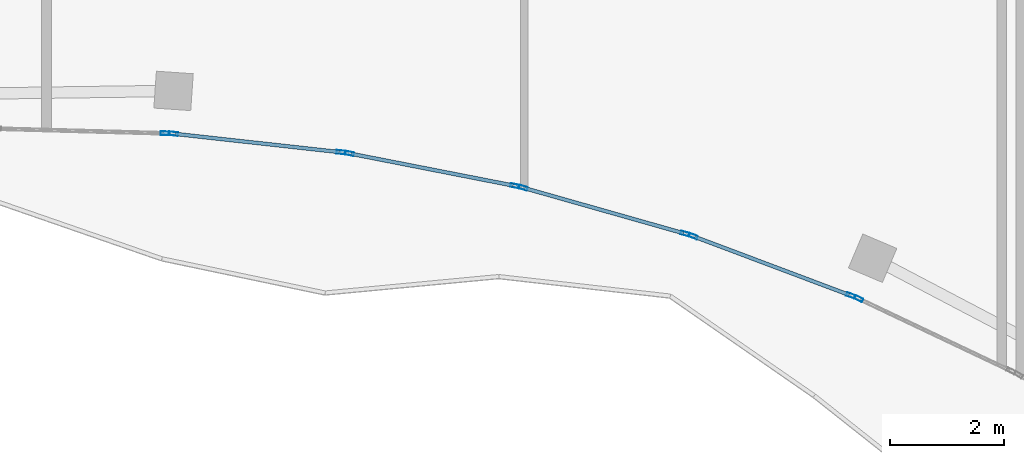
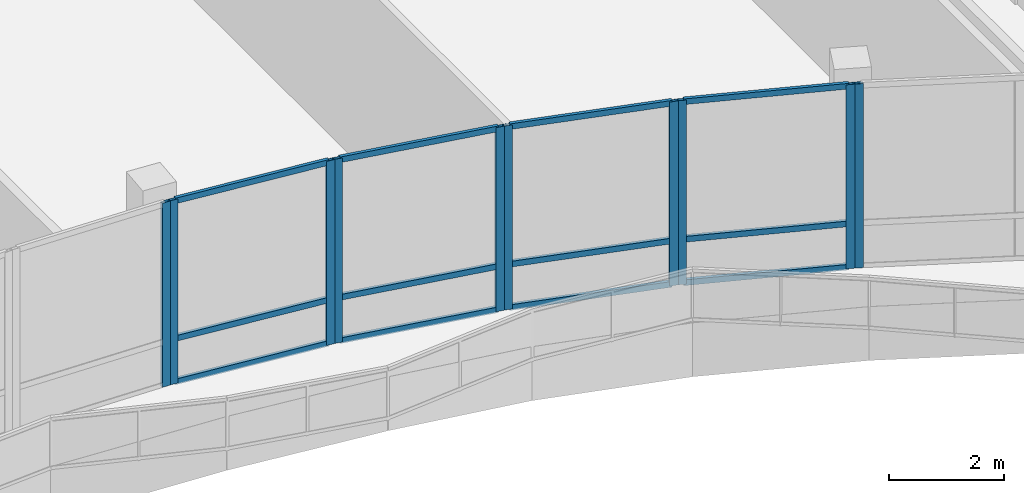
# One storey, part 122 of 184: 22 members, 6 elements without a shape of their own.
"""IFC4 building model written with IfcOpenShell, lengths in metres."""

from ifc_helpers import new_model, si_unit, direction, frame, origin, origin_2d, place, context, subcontext, project, spatial, hollow_rectangle, extrude, material, material_profile, profile_set, type_object, element, aggregate, save


model = new_model("IFC4")

# Units and contexts
model_context = context("Model", 3, precision=1e-05, world=origin(), true_north=direction((0.0, 1.0)))
body_context = subcontext(model_context, "Body", "Model", "MODEL_VIEW")
ifc_project = project(units=[si_unit("LENGTHUNIT", "METRE"), si_unit("AREAUNIT", "SQUARE_METRE"), si_unit("VOLUMEUNIT", "CUBIC_METRE"), si_unit("PLANEANGLEUNIT", "RADIAN"), si_unit("MASSUNIT", "GRAM", prefix="KILO")], contexts=[model_context])

# Site, building, storey
site_placement = place(None, origin())
site = spatial("IfcSite", under=ifc_project, at=site_placement, CompositionType="ELEMENT")
building_placement = place(site_placement, origin())
building = spatial("IfcBuilding", under=site, at=building_placement, Name="Selatvlak General Hospital", CompositionType="ELEMENT")
storey_placement = place(building_placement, frame((0.0, 0.0, 15.0)))
storey = spatial("IfcBuildingStorey", under=building, at=storey_placement, Name="L03", CompositionType="ELEMENT", Elevation=15.0)

# Curtain wall, member
ifc_material_1 = material(Name="Solar-control Low-E double glazing", Category="glass")
curtain_wall_type_1 = type_object("IfcCurtainWallType", Name="CW-CW-01", PredefinedType="USERDEFINED", material=ifc_material_1)
curtain_wall_1_placement = place(storey_placement, origin())
curtain_wall_1 = element("IfcCurtainWall", 1, at=curtain_wall_1_placement, inside=storey, type_object=curtain_wall_type_1, Name="Glazed facade curtain wall CW-L03-0399", ObjectType="UNITISED CURTAIN WALL", PredefinedType="USERDEFINED")
ifc_material_2 = material(Name="Dark anodised aluminium mullion", Category="aluminium")
ifc_material_profile_1 = material_profile(ifc_material_2, hollow_rectangle(XDim=0.06494140625, YDim=0.159912109375, WallThickness=0.00390625, at=origin_2d()), Name="AL-MUL 65x160x4")
ifc_profile_set_1 = profile_set([ifc_material_profile_1], Name="Dark anodised aluminium mullion")
member_type_1 = type_object("IfcMemberType", Name="CWM-01", PredefinedType="MULLION", material=ifc_profile_set_1)
member_1_placement = place(storey_placement, frame((154.680419921875, 51.005126953125, 0.0), z_axis=(0.0, 0.0, 1.0), x_axis=(-0.428525558966, -0.903529659343, 0.0)))
member_1 = element("IfcMember", 2, at=member_1_placement, type_object=member_type_1, Name="CW-01 mullion 2", PredefinedType="MULLION", context=body_context, shape_type="SweptSolid", body=[
    extrude(hollow_rectangle(XDim=0.06494140625, YDim=0.159912109375, WallThickness=0.00390625, at=origin_2d()), origin(), (0.0, 0.0, 1.0), 3.89501953125),
])
aggregate(curtain_wall_1, [member_1])

# Curtain wall, members
curtain_wall_type_2 = type_object("IfcCurtainWallType", Name="CW-CW-02", PredefinedType="USERDEFINED", material=ifc_material_1)
curtain_wall_2_placement = place(storey_placement, origin())
curtain_wall_2 = element("IfcCurtainWall", 3, at=curtain_wall_2_placement, inside=storey, type_object=curtain_wall_type_2, Name="Glazed facade curtain wall CW-L03-0400", ObjectType="UNITISED CURTAIN WALL", PredefinedType="USERDEFINED")
member_2_placement = place(storey_placement, frame((154.545654296875, 51.059326171875, 0.0), z_axis=(0.0, 0.0, 1.0), x_axis=(-0.352027174905, -0.935989779927, 0.0)))
member_2 = element("IfcMember", 4, at=member_2_placement, type_object=member_type_1, Name="CW-02 mullion 1", PredefinedType="MULLION", context=body_context, shape_type="SweptSolid", body=[
    extrude(hollow_rectangle(XDim=0.06494140625, YDim=0.159912109375, WallThickness=0.00390625, at=origin_2d()), origin(), (0.0, 0.0, 1.0), 3.89501953125),
])
member_3_placement = place(storey_placement, frame((151.76953125, 52.103515625, 0.0), z_axis=(0.0, 0.0, 1.0), x_axis=(-0.352027174905, -0.935989779927, 0.0)))
member_3 = element("IfcMember", 5, at=member_3_placement, type_object=member_type_1, Name="CW-02 mullion 2", PredefinedType="MULLION", context=body_context, shape_type="SweptSolid", body=[
    extrude(hollow_rectangle(XDim=0.06494140625, YDim=0.159912109375, WallThickness=0.00390625, at=origin_2d()), origin(), (0.0, 0.0, 1.0), 3.89501953125),
])

curtain_wall_3_placement = place(storey_placement, origin())
curtain_wall_3 = element("IfcCurtainWall", 6, at=curtain_wall_3_placement, inside=storey, type_object=curtain_wall_type_1, Name="Glazed facade curtain wall CW-L03-0401", ObjectType="UNITISED CURTAIN WALL", PredefinedType="USERDEFINED")
member_4_placement = place(storey_placement, frame((151.6318359375, 52.14697265625, 0.0), z_axis=(0.0, 0.0, 1.0), x_axis=(-0.272846888748, -0.962057469853, 0.0)))
member_4 = element("IfcMember", 7, at=member_4_placement, type_object=member_type_1, Name="CW-01 mullion 1", PredefinedType="MULLION", context=body_context, shape_type="SweptSolid", body=[
    extrude(hollow_rectangle(XDim=0.06494140625, YDim=0.159912109375, WallThickness=0.00390625, at=origin_2d()), origin(), (0.0, 0.0, 1.0), 3.89501953125),
])
member_5_placement = place(storey_placement, frame((148.7783203125, 52.9560546875, 0.0), z_axis=(0.0, 0.0, 1.0), x_axis=(-0.272846888748, -0.962057469853, 0.0)))
member_5 = element("IfcMember", 8, at=member_5_placement, type_object=member_type_1, Name="CW-01 mullion 2", PredefinedType="MULLION", context=body_context, shape_type="SweptSolid", body=[
    extrude(hollow_rectangle(XDim=0.06494140625, YDim=0.159912109375, WallThickness=0.00390625, at=origin_2d()), origin(), (0.0, 0.0, 1.0), 3.89501953125),
])

curtain_wall_4_placement = place(storey_placement, origin())
curtain_wall_4 = element("IfcCurtainWall", 9, at=curtain_wall_4_placement, inside=storey, type_object=curtain_wall_type_2, Name="Glazed facade curtain wall CW-L03-0402", ObjectType="UNITISED CURTAIN WALL", PredefinedType="USERDEFINED")
member_6_placement = place(storey_placement, frame((148.63720703125, 52.98828125, 0.0), z_axis=(0.0, 0.0, 1.0), x_axis=(-0.192246345827, -0.981346698428, 0.0)))
member_6 = element("IfcMember", 10, at=member_6_placement, type_object=member_type_1, Name="CW-02 mullion 1", PredefinedType="MULLION", context=body_context, shape_type="SweptSolid", body=[
    extrude(hollow_rectangle(XDim=0.06494140625, YDim=0.159912109375, WallThickness=0.00390625, at=origin_2d()), origin(), (0.0, 0.0, 1.0), 3.89501953125),
])
member_7_placement = place(storey_placement, frame((145.724853515625, 53.558837890625, 0.0), z_axis=(0.0, 0.0, 1.0), x_axis=(-0.192246345827, -0.981346698428, 0.0)))
member_7 = element("IfcMember", 11, at=member_7_placement, type_object=member_type_1, Name="CW-02 mullion 2", PredefinedType="MULLION", context=body_context, shape_type="SweptSolid", body=[
    extrude(hollow_rectangle(XDim=0.06494140625, YDim=0.159912109375, WallThickness=0.00390625, at=origin_2d()), origin(), (0.0, 0.0, 1.0), 3.89501953125),
])

curtain_wall_5_placement = place(storey_placement, origin())
curtain_wall_5 = element("IfcCurtainWall", 12, at=curtain_wall_5_placement, inside=storey, type_object=curtain_wall_type_1, Name="Glazed facade curtain wall CW-L03-0403", ObjectType="UNITISED CURTAIN WALL", PredefinedType="USERDEFINED")
member_8_placement = place(storey_placement, frame((145.580810546875, 53.57958984375, 0.0), z_axis=(0.0, 0.0, 1.0), x_axis=(-0.109780202548, -0.993955887919, 0.0)))
member_8 = element("IfcMember", 13, at=member_8_placement, type_object=member_type_1, Name="CW-01 mullion 1", PredefinedType="MULLION", context=body_context, shape_type="SweptSolid", body=[
    extrude(hollow_rectangle(XDim=0.06494140625, YDim=0.159912109375, WallThickness=0.00390625, at=origin_2d()), origin(), (0.0, 0.0, 1.0), 3.89501953125),
])
member_9_placement = place(storey_placement, frame((142.63037109375, 53.905517578125, 0.0), z_axis=(0.0, 0.0, 1.0), x_axis=(-0.109780202548, -0.993955887919, 0.0)))
member_9 = element("IfcMember", 14, at=member_9_placement, type_object=member_type_1, Name="CW-01 mullion 2", PredefinedType="MULLION", context=body_context, shape_type="SweptSolid", body=[
    extrude(hollow_rectangle(XDim=0.06494140625, YDim=0.159912109375, WallThickness=0.00390625, at=origin_2d()), origin(), (0.0, 0.0, 1.0), 3.89501953125),
])

# Curtain wall, member
curtain_wall_6_placement = place(storey_placement, origin())
curtain_wall_6 = element("IfcCurtainWall", 15, at=curtain_wall_6_placement, inside=storey, type_object=curtain_wall_type_2, Name="Glazed facade curtain wall CW-L03-0404", ObjectType="UNITISED CURTAIN WALL", PredefinedType="USERDEFINED")
member_10_placement = place(storey_placement, frame((142.485595703125, 53.912841796875, 0.0), z_axis=(0.0, 0.0, 1.0), x_axis=(-0.027693859483, -0.999616451519, 0.0)))
member_10 = element("IfcMember", 16, at=member_10_placement, type_object=member_type_1, Name="CW-02 mullion 1", PredefinedType="MULLION", context=body_context, shape_type="SweptSolid", body=[
    extrude(hollow_rectangle(XDim=0.06494140625, YDim=0.159912109375, WallThickness=0.00390625, at=origin_2d()), origin(), (0.0, 0.0, 1.0), 3.89501953125),
])
aggregate(curtain_wall_6, [member_10])

# Member
ifc_material_profile_2 = material_profile(ifc_material_2, hollow_rectangle(XDim=0.06494140625, YDim=0.1201171875, WallThickness=0.00390625, at=origin_2d()), Name="AL-TRN 65x120x4")
ifc_profile_set_2 = profile_set([ifc_material_profile_2], Name="Dark anodised aluminium mullion")
member_type_2 = type_object("IfcMemberType", Name="CWT-01", PredefinedType="USERDEFINED", material=ifc_profile_set_2)
member_11_placement = place(storey_placement, frame((154.51513671875, 51.07080078125, 0.032470703125), z_axis=(-0.935989809252, 0.352027096934, 0.0), x_axis=(-0.352027096934, -0.935989809252, 0.0)))
member_11 = element("IfcMember", 17, at=member_11_placement, type_object=member_type_2, Name="CW-02 transom 1.1", ObjectType="TRANSOM", PredefinedType="USERDEFINED", context=body_context, shape_type="SweptSolid", body=[
    extrude(hollow_rectangle(XDim=0.06494140625, YDim=0.1201171875, WallThickness=0.00390625, at=origin_2d()), origin(), (0.0, 0.0, 1.0), 2.901123046875),
])

member_12_placement = place(storey_placement, frame((154.51513671875, 51.07080078125, 0.949951171875), z_axis=(-0.935989809252, 0.352027096934, 0.0), x_axis=(-0.352027096934, -0.935989809252, 0.0)))
member_12 = element("IfcMember", 18, at=member_12_placement, type_object=member_type_2, Name="CW-02 transom 1.2", ObjectType="TRANSOM", PredefinedType="USERDEFINED", context=body_context, shape_type="SweptSolid", body=[
    extrude(hollow_rectangle(XDim=0.06494140625, YDim=0.1201171875, WallThickness=0.00390625, at=origin_2d()), origin(), (0.0, 0.0, 1.0), 2.901123046875),
])

member_13_placement = place(storey_placement, frame((154.51513671875, 51.07080078125, 3.862548828125), z_axis=(-0.935989809252, 0.352027096934, 0.0), x_axis=(-0.352027096934, -0.935989809252, 0.0)))
member_13 = element("IfcMember", 19, at=member_13_placement, type_object=member_type_2, Name="CW-02 transom 1.3", ObjectType="TRANSOM", PredefinedType="USERDEFINED", context=body_context, shape_type="SweptSolid", body=[
    extrude(hollow_rectangle(XDim=0.06494140625, YDim=0.1201171875, WallThickness=0.00390625, at=origin_2d()), origin(), (0.0, 0.0, 1.0), 2.901123046875),
])

aggregate(curtain_wall_2, [member_2, member_3, member_11, member_12, member_13])

member_14_placement = place(storey_placement, frame((151.6005859375, 52.15576171875, 0.032470703125), z_axis=(-0.962061954442, 0.272831075604, 0.0), x_axis=(-0.272831075604, -0.962061954442, 0.0)))
member_14 = element("IfcMember", 20, at=member_14_placement, type_object=member_type_2, Name="CW-01 transom 1.1", ObjectType="TRANSOM", PredefinedType="USERDEFINED", context=body_context, shape_type="SweptSolid", body=[
    extrude(hollow_rectangle(XDim=0.06494140625, YDim=0.1201171875, WallThickness=0.00390625, at=origin_2d()), origin(), (0.0, 0.0, 1.0), 2.901123046875),
])

member_15_placement = place(storey_placement, frame((151.6005859375, 52.15576171875, 0.949951171875), z_axis=(-0.962061954442, 0.272831075604, 0.0), x_axis=(-0.272831075604, -0.962061954442, 0.0)))
member_15 = element("IfcMember", 21, at=member_15_placement, type_object=member_type_2, Name="CW-01 transom 1.2", ObjectType="TRANSOM", PredefinedType="USERDEFINED", context=body_context, shape_type="SweptSolid", body=[
    extrude(hollow_rectangle(XDim=0.06494140625, YDim=0.1201171875, WallThickness=0.00390625, at=origin_2d()), origin(), (0.0, 0.0, 1.0), 2.901123046875),
])

member_16_placement = place(storey_placement, frame((151.6005859375, 52.15576171875, 3.862548828125), z_axis=(-0.962061954442, 0.272831075604, 0.0), x_axis=(-0.272831075604, -0.962061954442, 0.0)))
member_16 = element("IfcMember", 22, at=member_16_placement, type_object=member_type_2, Name="CW-01 transom 1.3", ObjectType="TRANSOM", PredefinedType="USERDEFINED", context=body_context, shape_type="SweptSolid", body=[
    extrude(hollow_rectangle(XDim=0.06494140625, YDim=0.1201171875, WallThickness=0.00390625, at=origin_2d()), origin(), (0.0, 0.0, 1.0), 2.901123046875),
])

aggregate(curtain_wall_3, [member_4, member_5, member_14, member_15, member_16])

member_17_placement = place(storey_placement, frame((148.605224609375, 52.994384765625, 0.032470703125), z_axis=(-0.981339899237, 0.19228104994, 0.0), x_axis=(-0.19228104994, -0.981339899237, 0.0)))
member_17 = element("IfcMember", 23, at=member_17_placement, type_object=member_type_2, Name="CW-02 transom 1.1", ObjectType="TRANSOM", PredefinedType="USERDEFINED", context=body_context, shape_type="SweptSolid", body=[
    extrude(hollow_rectangle(XDim=0.06494140625, YDim=0.1201171875, WallThickness=0.00390625, at=origin_2d()), origin(), (0.0, 0.0, 1.0), 2.902587890625),
])

member_18_placement = place(storey_placement, frame((148.605224609375, 52.994384765625, 0.949951171875), z_axis=(-0.981339899237, 0.19228104994, 0.0), x_axis=(-0.19228104994, -0.981339899237, 0.0)))
member_18 = element("IfcMember", 24, at=member_18_placement, type_object=member_type_2, Name="CW-02 transom 1.2", ObjectType="TRANSOM", PredefinedType="USERDEFINED", context=body_context, shape_type="SweptSolid", body=[
    extrude(hollow_rectangle(XDim=0.06494140625, YDim=0.1201171875, WallThickness=0.00390625, at=origin_2d()), origin(), (0.0, 0.0, 1.0), 2.902587890625),
])

member_19_placement = place(storey_placement, frame((148.605224609375, 52.994384765625, 3.862548828125), z_axis=(-0.981339899237, 0.19228104994, 0.0), x_axis=(-0.19228104994, -0.981339899237, 0.0)))
member_19 = element("IfcMember", 25, at=member_19_placement, type_object=member_type_2, Name="CW-02 transom 1.3", ObjectType="TRANSOM", PredefinedType="USERDEFINED", context=body_context, shape_type="SweptSolid", body=[
    extrude(hollow_rectangle(XDim=0.06494140625, YDim=0.1201171875, WallThickness=0.00390625, at=origin_2d()), origin(), (0.0, 0.0, 1.0), 2.902587890625),
])

aggregate(curtain_wall_4, [member_6, member_7, member_17, member_18, member_19])

member_20_placement = place(storey_placement, frame((145.54833984375, 53.583251953125, 0.032470703125), z_axis=(-0.993960406488, 0.109739283457, 0.0), x_axis=(-0.109739283457, -0.993960406488, 0.0)))
member_20 = element("IfcMember", 26, at=member_20_placement, type_object=member_type_2, Name="CW-01 transom 1.1", ObjectType="TRANSOM", PredefinedType="USERDEFINED", context=body_context, shape_type="SweptSolid", body=[
    extrude(hollow_rectangle(XDim=0.06494140625, YDim=0.1201171875, WallThickness=0.00390625, at=origin_2d()), origin(), (0.0, 0.0, 1.0), 2.9033203125),
])

member_21_placement = place(storey_placement, frame((145.54833984375, 53.583251953125, 0.949951171875), z_axis=(-0.993960406488, 0.109739283457, 0.0), x_axis=(-0.109739283457, -0.993960406488, 0.0)))
member_21 = element("IfcMember", 27, at=member_21_placement, type_object=member_type_2, Name="CW-01 transom 1.2", ObjectType="TRANSOM", PredefinedType="USERDEFINED", context=body_context, shape_type="SweptSolid", body=[
    extrude(hollow_rectangle(XDim=0.06494140625, YDim=0.1201171875, WallThickness=0.00390625, at=origin_2d()), origin(), (0.0, 0.0, 1.0), 2.9033203125),
])

member_22_placement = place(storey_placement, frame((145.54833984375, 53.583251953125, 3.862548828125), z_axis=(-0.993960406488, 0.109739283457, 0.0), x_axis=(-0.109739283457, -0.993960406488, 0.0)))
member_22 = element("IfcMember", 28, at=member_22_placement, type_object=member_type_2, Name="CW-01 transom 1.3", ObjectType="TRANSOM", PredefinedType="USERDEFINED", context=body_context, shape_type="SweptSolid", body=[
    extrude(hollow_rectangle(XDim=0.06494140625, YDim=0.1201171875, WallThickness=0.00390625, at=origin_2d()), origin(), (0.0, 0.0, 1.0), 2.9033203125),
])

aggregate(curtain_wall_5, [member_8, member_9, member_20, member_21, member_22])

save(model, "model.ifc")
